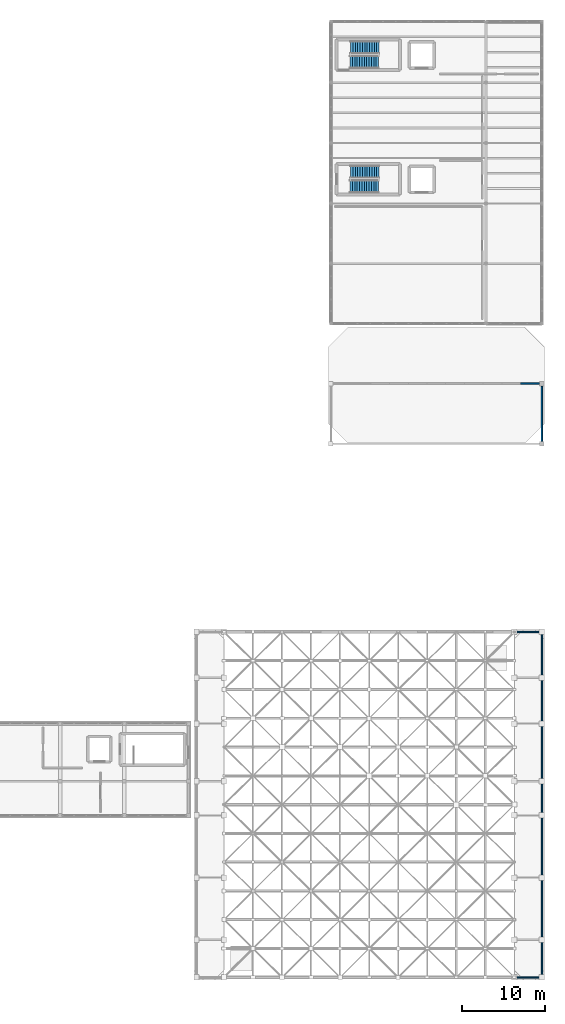
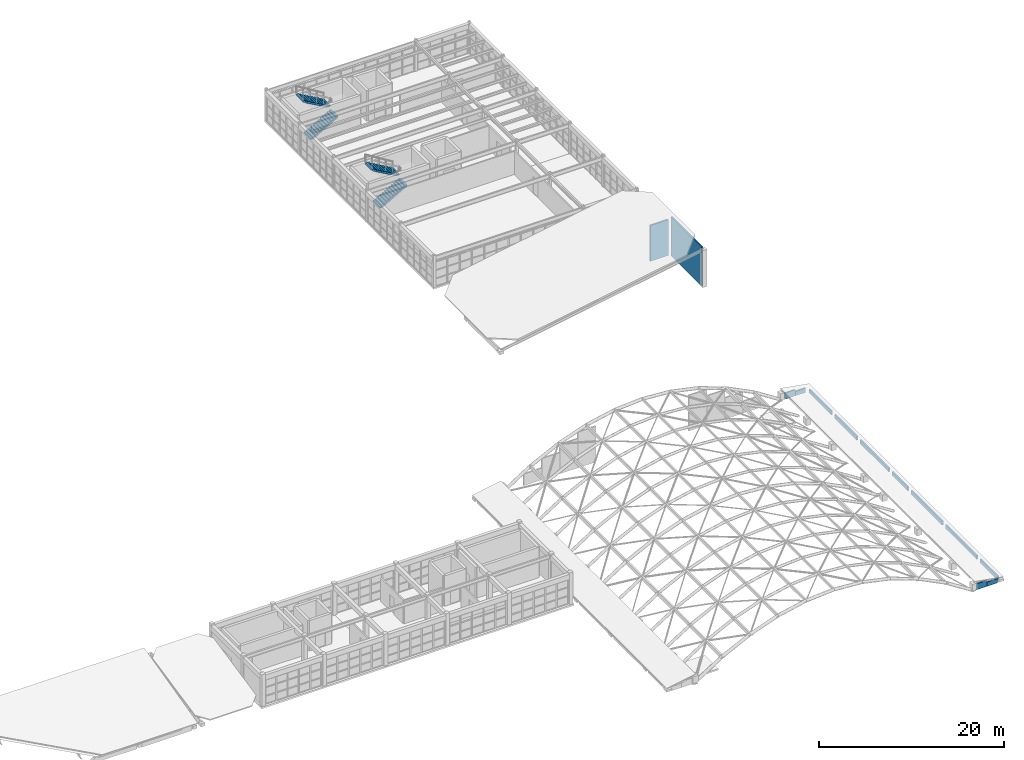
# One storey, part 49 of 52: 13 walls, 4 stair flights, 2 elements without a shape of their own.
"""IFC4 building model written with IfcOpenShell, lengths in metres."""

from ifc_helpers import new_model, si_unit, direction, frame, frame_2d, origin, place, context, subcontext, project, spatial, polyline, rectangle, outline, extrude, material, layer, layer_set, type_object, element, aggregate, save


model = new_model("IFC4")

# Units and contexts
model_context = context("Model", 3, precision=1e-05, world=origin(), true_north=direction((0.0, 1.0)))
body_context = subcontext(model_context, "Body", "Model", "MODEL_VIEW")
ifc_project = project(units=[si_unit("LENGTHUNIT", "METRE"), si_unit("AREAUNIT", "SQUARE_METRE"), si_unit("VOLUMEUNIT", "CUBIC_METRE"), si_unit("PLANEANGLEUNIT", "RADIAN"), si_unit("MASSUNIT", "GRAM", prefix="KILO")], contexts=[model_context])

# Site, building, storey
site_placement = place(None, origin())
site = spatial("IfcSite", under=ifc_project, at=site_placement, CompositionType="ELEMENT")
building_placement = place(site_placement, origin())
building = spatial("IfcBuilding", under=site, at=building_placement, Name="Candilejo Ridge Gondola Terminal", CompositionType="ELEMENT")
storey_placement = place(building_placement, frame((0.0, 0.0, 18.60009765625)))
storey = spatial("IfcBuildingStorey", under=building, at=storey_placement, Name="L04", CompositionType="ELEMENT", Elevation=18.60009765625)

# Walls
ifc_material_1 = material(Name="Concrete f'c 35 MPa (C35/45)", Category="concrete")
ifc_layer = layer(ifc_material_1, 0.179931640625)
ifc_layer_set = layer_set([ifc_layer], Name="ARC-PARAPET-WALL-180")
wall_type = type_object("IfcWallType", Name="ARC-PARAPET-WALL-180", PredefinedType="PARAPET", material=ifc_layer_set)
wall_1_placement = place(storey_placement, frame((175.300048828125, 6.655029296875, -0.2001953125), z_axis=(0.0, 0.0, 1.0), x_axis=(0.0, 1.0, 0.0)))
element("IfcWall", 1, at=wall_1_placement, inside=storey, type_object=wall_type, Name="Roof perimeter gable/spandrel wall L04-088", PredefinedType="PARAPET", context=body_context, shape_type="SweptSolid", body=[
    extrude(rectangle(XDim=3.7900390625, YDim=0.179931640625, at=frame_2d((1.89501953125, 0.0))), origin(), (0.0, 0.0, 1.0), 0.500244140625),
])
for number, where, z_axis, x_axis, name in (
    (2, (175.300048828125, 11.155029296875, -0.2001953125), (0.0, 0.0, 1.0), (0.0, 1.0, 0.0), "Roof perimeter gable/spandrel wall L04-089"),
    (3, (175.300048828125, 18.60498046875, -0.2001953125), (0.0, 0.0, 1.0), (0.0, 1.0, 0.0), "Roof perimeter gable/spandrel wall L04-090"),
):
    element("IfcWall", number, at=place(storey_placement, frame(where, z_axis=z_axis, x_axis=x_axis)), inside=storey, type_object=wall_type, Name=name, PredefinedType="PARAPET", context=body_context, shape_type="SweptSolid", body=[
        extrude(rectangle(XDim=6.739990234375, YDim=0.179931640625, at=frame_2d((3.3701171875, 0.0))), origin(), (0.0, 0.0, 1.0), 0.500244140625),
    ])
wall_2_placement = place(storey_placement, frame((175.300048828125, 26.054931640625, -0.2001953125), z_axis=(0.0, 0.0, 1.0), x_axis=(0.0, 1.0, 0.0)))
element("IfcWall", 4, at=wall_2_placement, inside=storey, type_object=wall_type, Name="Roof perimeter gable/spandrel wall L04-091", PredefinedType="PARAPET", context=body_context, shape_type="SweptSolid", body=[
    extrude(rectangle(XDim=3.39013671875, YDim=0.179931640625, at=frame_2d((1.695068359375, 0.0))), origin(), (0.0, 0.0, 1.0), 0.500244140625),
])
wall_3_placement = place(storey_placement, frame((175.300048828125, 30.155029296875, -0.2001953125), z_axis=(0.0, 0.0, 1.0), x_axis=(0.0, 1.0, 0.0)))
element("IfcWall", 5, at=wall_3_placement, inside=storey, type_object=wall_type, Name="Roof perimeter gable/spandrel wall L04-092", PredefinedType="PARAPET", context=body_context, shape_type="SweptSolid", body=[
    extrude(rectangle(XDim=6.18994140625, YDim=0.179931640625, at=frame_2d((3.094970703125, 0.0))), origin(), (0.0, 0.0, 1.0), 0.500244140625),
])
for number, where, z_axis, x_axis, name in (
    (6, (175.300048828125, 37.054931640625, -0.2001953125), (0.0, 0.0, 1.0), (0.0, 1.0, 0.0), "Roof perimeter gable/spandrel wall L04-093"),
    (7, (175.300048828125, 42.554931640625, -0.2001953125), (0.0, 0.0, 1.0), (0.0, 1.0, 0.0), "Roof perimeter gable/spandrel wall L04-094"),
):
    element("IfcWall", number, at=place(storey_placement, frame(where, z_axis=z_axis, x_axis=x_axis)), inside=storey, type_object=wall_type, Name=name, PredefinedType="PARAPET", context=body_context, shape_type="SweptSolid", body=[
        extrude(rectangle(XDim=4.7900390625, YDim=0.179931640625, at=frame_2d((2.39501953125, 0.0))), origin(), (0.0, 0.0, 1.0), 0.500244140625),
    ])
wall_4_placement = place(storey_placement, frame((172.35498046875, 6.300048828125, -0.2001953125), z_axis=(0.0, 0.0, 1.0), x_axis=(1.0, 0.0, 0.0)))
element("IfcWall", 8, at=wall_4_placement, inside=storey, type_object=wall_type, Name="Roof perimeter gable/spandrel wall L04-095", PredefinedType="PARAPET", context=body_context, shape_type="SweptSolid", body=[
    extrude(rectangle(XDim=1.294921875, YDim=0.179931640625, at=frame_2d((0.6474609375, 0.0))), origin(), (0.0, 0.0, 1.0), 0.791259765625),
])
wall_5_placement = place(storey_placement, frame((173.64990234375, 6.300048828125, -0.2001953125), z_axis=(0.0, 0.0, 1.0), x_axis=(1.0, 0.0, 0.0)))
element("IfcWall", 9, at=wall_5_placement, inside=storey, type_object=wall_type, Name="Roof perimeter gable/spandrel wall L04-096", PredefinedType="PARAPET", context=body_context, shape_type="SweptSolid", body=[
    extrude(rectangle(XDim=1.295166015625, YDim=0.179931640625, at=frame_2d((0.6474609375, 0.0))), origin(), (0.0, 0.0, 1.0), 0.562744140625),
])
wall_6_placement = place(storey_placement, frame((172.35498046875, 47.699951171875, -0.2001953125), z_axis=(0.0, 0.0, 1.0), x_axis=(1.0, 0.0, 0.0)))
element("IfcWall", 10, at=wall_6_placement, inside=storey, type_object=wall_type, Name="Roof perimeter gable/spandrel wall L04-097", PredefinedType="PARAPET", context=body_context, shape_type="SweptSolid", body=[
    extrude(rectangle(XDim=1.294921875, YDim=0.179931640625, at=frame_2d((0.6474609375, 0.0))), origin(), (0.0, 0.0, 1.0), 0.791259765625),
])
wall_7_placement = place(storey_placement, frame((173.64990234375, 47.699951171875, -0.2001953125), z_axis=(0.0, 0.0, 1.0), x_axis=(1.0, 0.0, 0.0)))
element("IfcWall", 11, at=wall_7_placement, inside=storey, type_object=wall_type, Name="Roof perimeter gable/spandrel wall L04-098", PredefinedType="PARAPET", context=body_context, shape_type="SweptSolid", body=[
    extrude(rectangle(XDim=1.295166015625, YDim=0.179931640625, at=frame_2d((0.6474609375, 0.0))), origin(), (0.0, 0.0, 1.0), 0.562744140625),
])
wall_8_placement = place(storey_placement, frame((175.300048828125, 70.554931640625, -0.210205078125), z_axis=(0.0, 0.0, 1.0), x_axis=(0.0, 1.0, 0.0)))
element("IfcWall", 12, at=wall_8_placement, inside=storey, type_object=wall_type, Name="Roof perimeter gable/spandrel wall L04-126", PredefinedType="PARAPET", context=body_context, shape_type="SweptSolid", body=[
    extrude(rectangle(XDim=6.590087890625, YDim=0.179931640625, at=frame_2d((3.294921875, 0.0))), origin(), (0.0, 0.0, 1.0), 5.17138671875),
])
wall_9_placement = place(storey_placement, frame((172.75048828125, 77.449951171875, -0.210205078125), z_axis=(0.0, 0.0, 1.0), x_axis=(1.0, 0.0, 0.0)))
element("IfcWall", 13, at=wall_9_placement, inside=storey, type_object=wall_type, Name="Roof perimeter gable/spandrel wall L04-137", PredefinedType="PARAPET", context=body_context, shape_type="SweptSolid", body=[
    extrude(rectangle(XDim=2.24462890625, YDim=0.179931640625, at=frame_2d((1.122314453125, 0.0))), origin(), (0.0, 0.0, 1.0), 4.7216796875),
])

# Stair, stair flights
ifc_material_2 = material(Name="Concrete f'c 35 MPa (C35/45)", Category="concrete")
stair_type = type_object("IfcStairType", Name="STR-STAIR-1500-4200", PredefinedType="HALF_TURN_STAIR", material=ifc_material_2)
stair_1_placement = place(storey_placement, origin())
stair_1 = element("IfcStair", 14, at=stair_1_placement, inside=storey, type_object=stair_type, Name="Enclosed fire exit stair ST-V5A-L04", PredefinedType="HALF_TURN_STAIR")
ifc_material_3 = material(Name="Concrete f'c 35 MPa (C35/45)", Category="concrete")
stair_flight_type = type_object("IfcStairFlightType", Name="STR-FLIGHT-CORE-1500", PredefinedType="STRAIGHT", material=ifc_material_3)
stair_flight_1_placement = place(storey_placement, frame((152.300048828125, 101.090087890625, 0.0), z_axis=(0.0, 0.0, 1.0), x_axis=(1.0, 0.0, 0.0)))
stair_flight_1 = element("IfcStairFlight", 15, at=stair_flight_1_placement, type_object=stair_flight_type, Name="Stair flight ST-V5A-F07", NumberOfRisers=13, NumberOfTreads=12, PredefinedType="STRAIGHT", RiserHeight=0.16154, TreadLength=0.285, context=body_context, shape_type="SweptSolid", body=[
    extrude(outline(polyline([(0.0, 0.0), (0.0, 0.16162109375), (0.284912109375, 0.16162109375), (0.284912109375, 0.322998046875), (0.570068359375, 0.322998046875), (0.570068359375, 0.484619140625), (0.85498046875, 0.484619140625), (0.85498046875, 0.646240234375), (1.139892578125, 0.646240234375), (1.139892578125, 0.8076171875), (1.425048828125, 0.8076171875), (1.425048828125, 0.96923828125), (1.7099609375, 0.96923828125), (1.7099609375, 1.130859375), (1.9951171875, 1.130859375), (1.9951171875, 1.292236328125), (2.280029296875, 1.292236328125), (2.280029296875, 1.453857421875), (2.56494140625, 1.453857421875), (2.56494140625, 1.615478515625), (2.85009765625, 1.615478515625), (2.85009765625, 1.77685546875), (3.135009765625, 1.77685546875), (3.135009765625, 1.9384765625), (3.419921875, 1.9384765625), (3.419921875, 2.10009765625), (3.419921875, 1.731689453125), (0.364990234375, 0.0), (0.0, 0.0)])), frame((0.0, 0.75, 0.0), z_axis=(0.0, -1.0, 0.0), x_axis=(1.0, 0.0, 0.0)), (0.0, 0.0, 1.0), 1.5),
])
stair_flight_2_placement = place(storey_placement, frame((155.780029296875, 102.860107421875, 2.099853515625), z_axis=(0.0, 0.0, 1.0), x_axis=(-1.0, 0.0, 0.0)))
stair_flight_2 = element("IfcStairFlight", 16, at=stair_flight_2_placement, type_object=stair_flight_type, Name="Stair flight ST-V5A-F08", NumberOfRisers=13, NumberOfTreads=12, PredefinedType="STRAIGHT", RiserHeight=0.16154, TreadLength=0.285, context=body_context, shape_type="SweptSolid", body=[
    extrude(outline(polyline([(0.0, 0.0), (0.0, 0.16162109375), (0.284912109375, 0.16162109375), (0.284912109375, 0.322998046875), (0.570068359375, 0.322998046875), (0.570068359375, 0.484619140625), (0.85498046875, 0.484619140625), (0.85498046875, 0.646240234375), (1.139892578125, 0.646240234375), (1.139892578125, 0.8076171875), (1.425048828125, 0.8076171875), (1.425048828125, 0.96923828125), (1.7099609375, 0.96923828125), (1.7099609375, 1.130859375), (1.9951171875, 1.130859375), (1.9951171875, 1.292236328125), (2.280029296875, 1.292236328125), (2.280029296875, 1.453857421875), (2.56494140625, 1.453857421875), (2.56494140625, 1.615478515625), (2.85009765625, 1.615478515625), (2.85009765625, 1.77685546875), (3.135009765625, 1.77685546875), (3.135009765625, 1.9384765625), (3.419921875, 1.9384765625), (3.419921875, 2.10009765625), (3.419921875, 1.731689453125), (0.364990234375, 0.0), (0.0, 0.0)])), frame((0.0, 0.75, 0.0), z_axis=(0.0, -1.0, 0.0), x_axis=(1.0, 0.0, 0.0)), (0.0, 0.0, 1.0), 1.5),
])
aggregate(stair_1, [stair_flight_1, stair_flight_2])

stair_2_placement = place(storey_placement, origin())
stair_2 = element("IfcStair", 17, at=stair_2_placement, inside=storey, type_object=stair_type, Name="Enclosed fire exit stair ST-V5B-L04", PredefinedType="HALF_TURN_STAIR")
stair_flight_3_placement = place(storey_placement, frame((152.300048828125, 115.989990234375, 0.0), z_axis=(0.0, 0.0, 1.0), x_axis=(1.0, 0.0, 0.0)))
stair_flight_3 = element("IfcStairFlight", 18, at=stair_flight_3_placement, type_object=stair_flight_type, Name="Stair flight ST-V5B-F07", NumberOfRisers=13, NumberOfTreads=12, PredefinedType="STRAIGHT", RiserHeight=0.16154, TreadLength=0.285, context=body_context, shape_type="SweptSolid", body=[
    extrude(outline(polyline([(0.0, 0.0), (0.0, 0.16162109375), (0.284912109375, 0.16162109375), (0.284912109375, 0.322998046875), (0.570068359375, 0.322998046875), (0.570068359375, 0.484619140625), (0.85498046875, 0.484619140625), (0.85498046875, 0.646240234375), (1.139892578125, 0.646240234375), (1.139892578125, 0.8076171875), (1.425048828125, 0.8076171875), (1.425048828125, 0.96923828125), (1.7099609375, 0.96923828125), (1.7099609375, 1.130859375), (1.9951171875, 1.130859375), (1.9951171875, 1.292236328125), (2.280029296875, 1.292236328125), (2.280029296875, 1.453857421875), (2.56494140625, 1.453857421875), (2.56494140625, 1.615478515625), (2.85009765625, 1.615478515625), (2.85009765625, 1.77685546875), (3.135009765625, 1.77685546875), (3.135009765625, 1.9384765625), (3.419921875, 1.9384765625), (3.419921875, 2.10009765625), (3.419921875, 1.731689453125), (0.364990234375, 0.0), (0.0, 0.0)])), frame((0.0, 0.75, 0.0), z_axis=(0.0, -1.0, 0.0), x_axis=(1.0, 0.0, 0.0)), (0.0, 0.0, 1.0), 1.5),
])
stair_flight_4_placement = place(storey_placement, frame((155.780029296875, 117.760009765625, 2.099853515625), z_axis=(0.0, 0.0, 1.0), x_axis=(-1.0, 0.0, 0.0)))
stair_flight_4 = element("IfcStairFlight", 19, at=stair_flight_4_placement, type_object=stair_flight_type, Name="Stair flight ST-V5B-F08", NumberOfRisers=13, NumberOfTreads=12, PredefinedType="STRAIGHT", RiserHeight=0.16154, TreadLength=0.285, context=body_context, shape_type="SweptSolid", body=[
    extrude(outline(polyline([(0.0, 0.0), (0.0, 0.16162109375), (0.284912109375, 0.16162109375), (0.284912109375, 0.322998046875), (0.570068359375, 0.322998046875), (0.570068359375, 0.484619140625), (0.85498046875, 0.484619140625), (0.85498046875, 0.646240234375), (1.139892578125, 0.646240234375), (1.139892578125, 0.8076171875), (1.425048828125, 0.8076171875), (1.425048828125, 0.96923828125), (1.7099609375, 0.96923828125), (1.7099609375, 1.130859375), (1.9951171875, 1.130859375), (1.9951171875, 1.292236328125), (2.280029296875, 1.292236328125), (2.280029296875, 1.453857421875), (2.56494140625, 1.453857421875), (2.56494140625, 1.615478515625), (2.85009765625, 1.615478515625), (2.85009765625, 1.77685546875), (3.135009765625, 1.77685546875), (3.135009765625, 1.9384765625), (3.419921875, 1.9384765625), (3.419921875, 2.10009765625), (3.419921875, 1.731689453125), (0.364990234375, 0.0), (0.0, 0.0)])), frame((0.0, 0.75, 0.0), z_axis=(0.0, -1.0, 0.0), x_axis=(1.0, 0.0, 0.0)), (0.0, 0.0, 1.0), 1.5),
])
aggregate(stair_2, [stair_flight_3, stair_flight_4])

save(model, "model.ifc")
